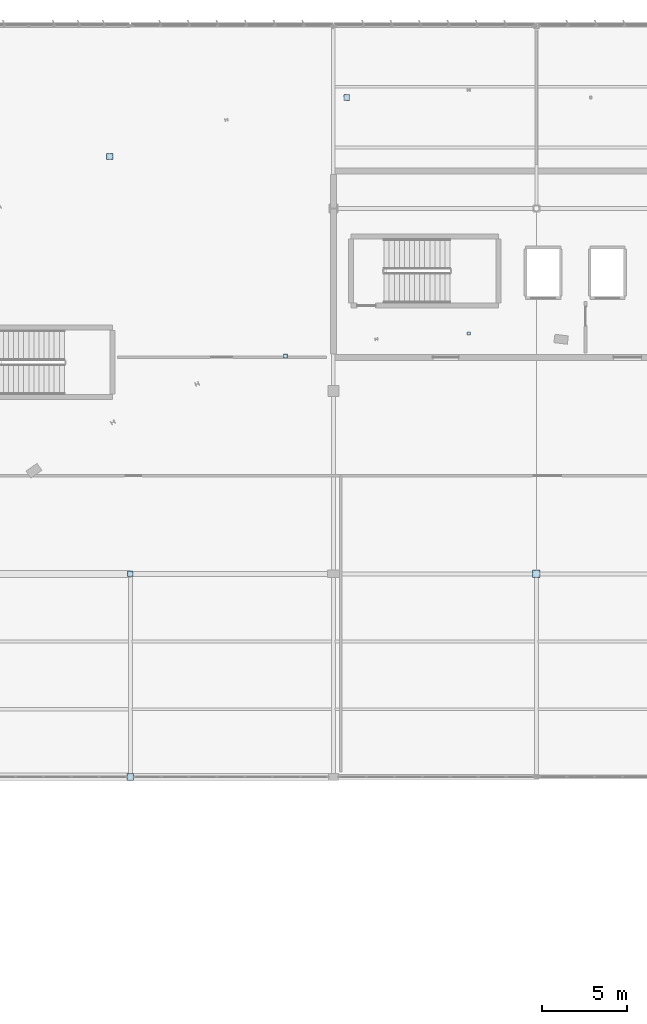
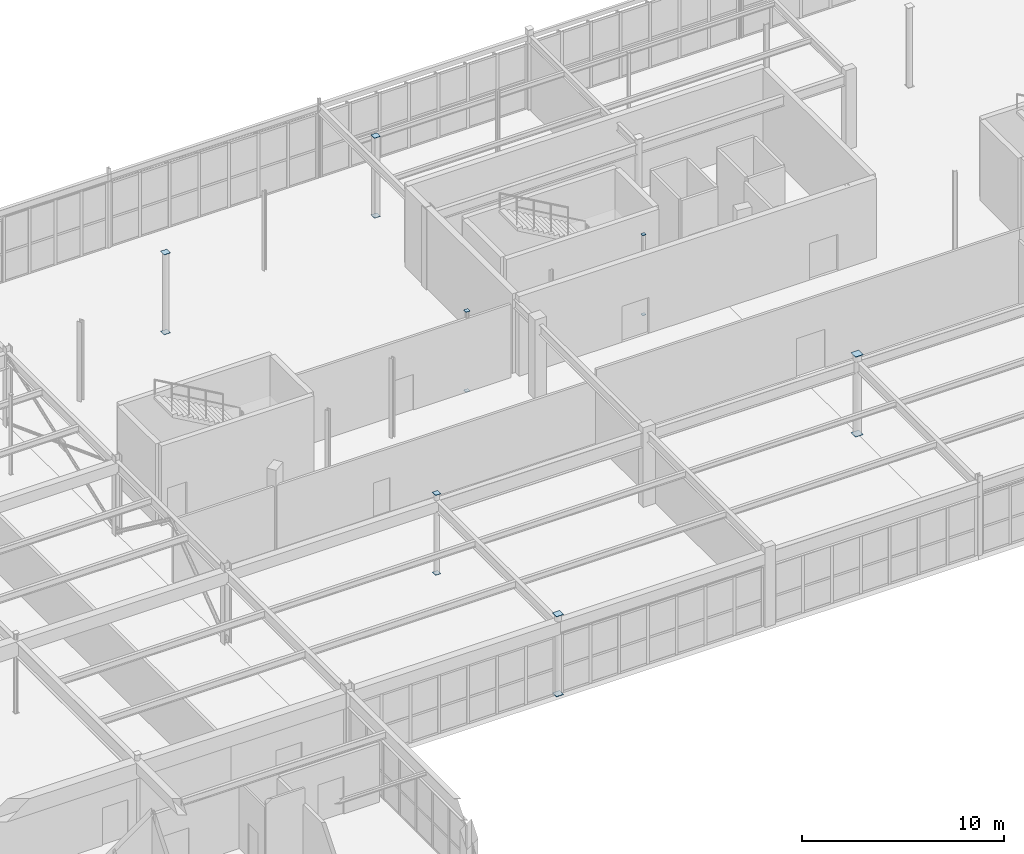
# One storey, part 174 of 226: 14 plates.
"""IFC4 building model written with IfcOpenShell, lengths in metres."""

from ifc_helpers import new_model, si_unit, direction, frame, origin, origin_2d, place, context, subcontext, project, spatial, rectangle, extrude, material, layer, layer_set, type_object, element, save


model = new_model("IFC4")

# Units and contexts
model_context = context("Model", 3, precision=1e-05, world=origin(), true_north=direction((0.0, 1.0)))
body_context = subcontext(model_context, "Body", "Model", "MODEL_VIEW")
ifc_project = project(units=[si_unit("LENGTHUNIT", "METRE"), si_unit("AREAUNIT", "SQUARE_METRE"), si_unit("VOLUMEUNIT", "CUBIC_METRE"), si_unit("PLANEANGLEUNIT", "RADIAN"), si_unit("MASSUNIT", "GRAM", prefix="KILO")], contexts=[model_context])

# Site, building, storey
site_placement = place(None, origin())
site = spatial("IfcSite", under=ifc_project, at=site_placement, CompositionType="ELEMENT")
building_placement = place(site_placement, origin())
building = spatial("IfcBuilding", under=site, at=building_placement, Name="Tarnwether General Hospital", CompositionType="ELEMENT")
storey_placement = place(building_placement, frame((0.0, 0.0, 4.800048828125)))
storey = spatial("IfcBuildingStorey", under=building, at=storey_placement, Name="L01", CompositionType="ELEMENT", Elevation=4.800048828125)

# Plates
ifc_material = material(Name="Steel Grade 350 (350 MPa)", Category="steel")
ifc_layer = layer(ifc_material, 0.02490234375)
ifc_layer_set = layer_set([ifc_layer], Name="Steel Grade 350 (350 MPa)")
plate_type = type_object("IfcPlateType", Name="PT-GUS2", PredefinedType="USERDEFINED", material=ifc_layer_set)
for number, where, z_axis, x_axis, name in (
    (1, (72.0, 81.60009765625, -0.02490234375), (0.0, 0.0, 1.0), (1.0, 0.0, 0.0), "Hollow Section Welded End Cap Plate 0129"),
    (2, (72.0, 81.60009765625, 4.800048828125), (0.0, 0.0, 1.0), (1.0, 0.0, 0.0), "Hollow Section Welded End Cap Plate 0130"),
):
    element("IfcPlate", number, at=place(storey_placement, frame(where, z_axis=z_axis, x_axis=x_axis)), inside=storey, type_object=plate_type, Name=name, ObjectType="GUSSET", PredefinedType="USERDEFINED", context=body_context, shape_type="SweptSolid", body=[
        extrude(rectangle(XDim=0.39599609375, YDim=0.39599609375, at=origin_2d()), origin(), (0.0, 0.0, 1.0), 0.02490234375),
    ])
for number, where, z_axis, x_axis, name in (
    (3, (72.0, 93.60009765625, -0.02490234375), (0.0, 0.0, 1.0), (1.0, 0.0, 0.0), "Hollow Section Welded End Cap Plate 0137"),
    (4, (72.0, 93.60009765625, 4.800048828125), (0.0, 0.0, 1.0), (1.0, 0.0, 0.0), "Hollow Section Welded End Cap Plate 0138"),
):
    element("IfcPlate", number, at=place(storey_placement, frame(where, z_axis=z_axis, x_axis=x_axis)), inside=storey, type_object=plate_type, Name=name, ObjectType="GUSSET", PredefinedType="USERDEFINED", context=body_context, shape_type="SweptSolid", body=[
        extrude(rectangle(XDim=0.31298828125, YDim=0.31298828125, at=origin_2d()), origin(), (0.0, 0.0, 1.0), 0.02490234375),
    ])
for number, where, z_axis, x_axis, name in (
    (5, (96.0, 93.60009765625, -0.02490234375), (0.0, 0.0, 1.0), (1.0, 0.0, 0.0), "Hollow Section Welded End Cap Plate 0171"),
    (6, (96.0, 93.60009765625, 4.800048828125), (0.0, 0.0, 1.0), (1.0, 0.0, 0.0), "Hollow Section Welded End Cap Plate 0172"),
):
    element("IfcPlate", number, at=place(storey_placement, frame(where, z_axis=z_axis, x_axis=x_axis)), inside=storey, type_object=plate_type, Name=name, ObjectType="GUSSET", PredefinedType="USERDEFINED", context=body_context, shape_type="SweptSolid", body=[
        extrude(rectangle(XDim=0.446044921875, YDim=0.446044921875, at=origin_2d()), origin(), (0.0, 0.0, 1.0), 0.02490234375),
    ])
for number, where, z_axis, x_axis, name in (
    (7, (70.784912109375, 118.26806640625, -0.02490234375), (0.0, 0.0, 1.0), (1.0, 0.0, 0.0), "Hollow Section Welded End Cap Plate 0477"),
    (8, (70.784912109375, 118.26806640625, 4.800048828125), (0.0, 0.0, 1.0), (1.0, 0.0, 0.0), "Hollow Section Welded End Cap Plate 0478"),
):
    element("IfcPlate", number, at=place(storey_placement, frame(where, z_axis=z_axis, x_axis=x_axis)), inside=storey, type_object=plate_type, Name=name, ObjectType="GUSSET", PredefinedType="USERDEFINED", context=body_context, shape_type="SweptSolid", body=[
        extrude(rectangle(XDim=0.364013671875, YDim=0.364013671875, at=origin_2d()), origin(), (0.0, 0.0, 1.0), 0.02490234375),
    ])
for number, where, z_axis, x_axis, name in (
    (9, (81.162109375, 106.468994140625, -0.02490234375), (0.0, 0.0, 1.0), (1.0, 0.0, 0.0), "Hollow Section Welded End Cap Plate 0499"),
    (10, (81.162109375, 106.468994140625, 4.800048828125), (0.0, 0.0, 1.0), (1.0, 0.0, 0.0), "Hollow Section Welded End Cap Plate 0500"),
):
    element("IfcPlate", number, at=place(storey_placement, frame(where, z_axis=z_axis, x_axis=x_axis)), inside=storey, type_object=plate_type, Name=name, ObjectType="GUSSET", PredefinedType="USERDEFINED", context=body_context, shape_type="SweptSolid", body=[
        extrude(rectangle(XDim=0.23388671875, YDim=0.23388671875, at=origin_2d()), origin(), (0.0, 0.0, 1.0), 0.02490234375),
    ])
for number, where, z_axis, x_axis, name in (
    (11, (84.784912109375, 121.759033203125, -0.02490234375), (0.0, 0.0, 1.0), (1.0, 0.0, 0.0), "Hollow Section Welded End Cap Plate 0509"),
    (12, (84.784912109375, 121.759033203125, 4.800048828125), (0.0, 0.0, 1.0), (1.0, 0.0, 0.0), "Hollow Section Welded End Cap Plate 0510"),
):
    element("IfcPlate", number, at=place(storey_placement, frame(where, z_axis=z_axis, x_axis=x_axis)), inside=storey, type_object=plate_type, Name=name, ObjectType="GUSSET", PredefinedType="USERDEFINED", context=body_context, shape_type="SweptSolid", body=[
        extrude(rectangle(XDim=0.340087890625, YDim=0.340087890625, at=origin_2d()), origin(), (0.0, 0.0, 1.0), 0.02490234375),
    ])
for number, where, z_axis, x_axis, name in (
    (13, (92.0, 107.800048828125, -0.02490234375), (0.0, 0.0, 1.0), (1.0, 0.0, 0.0), "Hollow Section Welded End Cap Plate 0531"),
    (14, (92.0, 107.800048828125, 4.800048828125), (0.0, 0.0, 1.0), (1.0, 0.0, 0.0), "Hollow Section Welded End Cap Plate 0532"),
):
    element("IfcPlate", number, at=place(storey_placement, frame(where, z_axis=z_axis, x_axis=x_axis)), inside=storey, type_object=plate_type, Name=name, ObjectType="GUSSET", PredefinedType="USERDEFINED", context=body_context, shape_type="SweptSolid", body=[
        extrude(rectangle(XDim=0.18994140625, YDim=0.18994140625, at=origin_2d()), origin(), (0.0, 0.0, 1.0), 0.02490234375),
    ])

save(model, "model.ifc")
